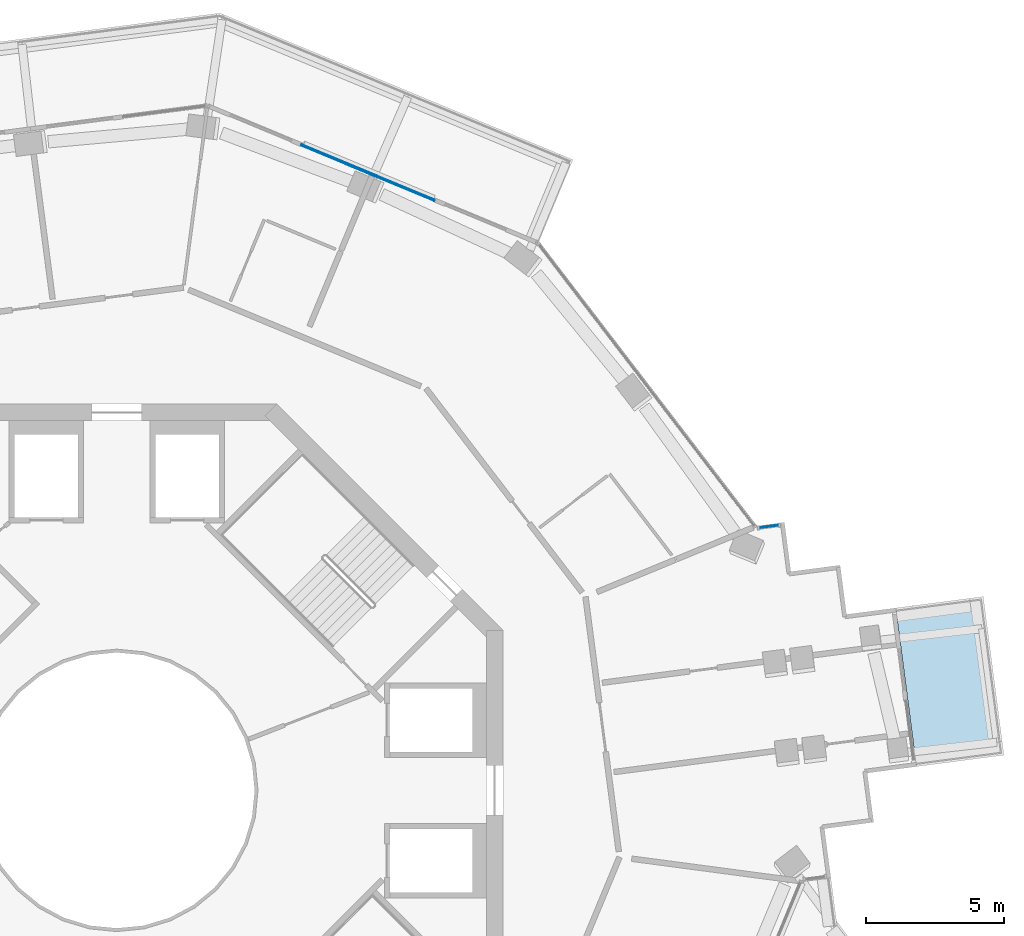
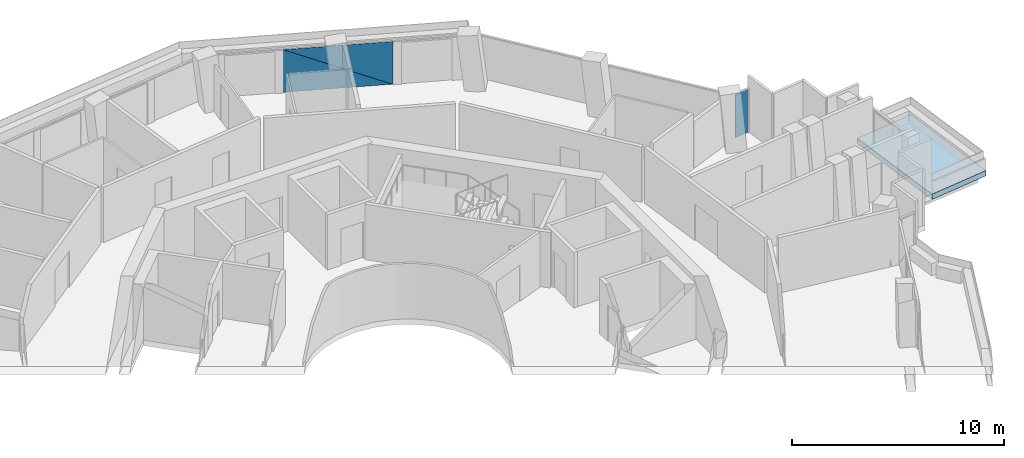
# One storey, part 16 of 25: 3 plates, 1 slab, 2 elements without a shape of their own.
"""IFC4 building model written with IfcOpenShell, lengths in metres."""

from ifc_helpers import new_model, si_unit, direction, frame, origin, origin_2d, place, context, subcontext, project, spatial, polyline, rectangle, outline, extrude, material, layer, layer_set, type_object, element, aggregate, save


model = new_model("IFC4")

# Units and contexts
model_context = context("Model", 3, precision=1e-05, world=origin(), true_north=direction((0.0, 1.0)))
body_context = subcontext(model_context, "Body", "Model", "MODEL_VIEW")
ifc_project = project(units=[si_unit("LENGTHUNIT", "METRE"), si_unit("AREAUNIT", "SQUARE_METRE"), si_unit("VOLUMEUNIT", "CUBIC_METRE"), si_unit("PLANEANGLEUNIT", "RADIAN"), si_unit("MASSUNIT", "GRAM", prefix="KILO")], contexts=[model_context])

# Site, building, storey
site_placement = place(None, origin())
site = spatial("IfcSite", under=ifc_project, at=site_placement, CompositionType="ELEMENT")
building_placement = place(site_placement, origin())
building = spatial("IfcBuilding", under=site, at=building_placement, Name="Verdalira Terraces Hotel", CompositionType="ELEMENT")
storey_placement = place(building_placement, frame((0.0, 0.0, 187.0)))
storey = spatial("IfcBuildingStorey", under=building, at=storey_placement, Name="L45", CompositionType="ELEMENT", Elevation=187.0)

# Slab
ifc_material_1 = material(Name="Precast concrete C40/50", Category="concrete")
ifc_layer_1 = layer(ifc_material_1, 0.31005859375)
ifc_layer_set_1 = layer_set([ifc_layer_1], Name="Balcony deck 310")
slab_type = type_object("IfcSlabType", Name="Balcony deck 310", PredefinedType="FLOOR", material=ifc_layer_set_1)
slab_placement = place(storey_placement, frame((0.0, 0.0, -0.310059)))
element("IfcSlab", 1, at=slab_placement, inside=storey, type_object=slab_type, Name="Balcony deck", PredefinedType="FLOOR", context=body_context, shape_type="SweptSolid", body=[
    extrude(outline(polyline([(31.412842, 7.026855), (28.239746, 6.612305), (28.990967, 0.861328), (32.164062, 1.275635), (31.412842, 7.026855)])), origin(), (0.0, 0.0, 1.0), 0.310059),
])

# Curtain wall, plates
ifc_material_2 = material(Name="Clear glass", Category="glass")
ifc_layer_2 = layer(ifc_material_2, 0.14990234375)
ifc_layer_set_2 = layer_set([ifc_layer_2], Name="CW1 curtain wall")
curtain_wall_type_1 = type_object("IfcCurtainWallType", Name="CW1 curtain wall", PredefinedType="NOTDEFINED", material=ifc_layer_set_2)
curtain_wall_1_placement = place(storey_placement, origin())
curtain_wall_1 = element("IfcCurtainWall", 2, at=curtain_wall_1_placement, inside=storey, type_object=curtain_wall_type_1, Name="CW1 curtain wall L45 edge 40", PredefinedType="NOTDEFINED")
ifc_material_3 = material(Name="Clear glass", Category="glass")
ifc_layer_3 = layer(ifc_material_3, 0.028076171875)
ifc_layer_set_3 = layer_set([ifc_layer_3], Name="CW1 glass unit 28")
plate_type_1 = type_object("IfcPlateType", Name="CW1 glass unit 28", PredefinedType="CURTAIN_PANEL", material=ifc_layer_set_3)
plate_1_placement = place(storey_placement, frame((9.106934, 22.388672, 1.237549), z_axis=(0.383650707, 0.923478281, 0.0), x_axis=(-0.923478281, 0.383650707, 0.0)))
plate_1 = element("IfcPlate", 3, at=plate_1_placement, type_object=plate_type_1, Name="CW1 glass unit", PredefinedType="CURTAIN_PANEL", context=body_context, shape_type="SweptSolid", body=[
    extrude(outline(polyline([(-2.611816, -1.237549), (2.611816, -1.237549), (2.611816, 1.237549), (-2.611816, -1.237549)])), origin(), (0.0, 0.0, 1.0), 0.028076),
])
plate_2_placement = place(storey_placement, frame((9.095703, 22.361816, 1.237549), z_axis=(0.383650707, 0.923478281, 0.0), x_axis=(-0.923478281, 0.383650707, 0.0)))
plate_2 = element("IfcPlate", 4, at=plate_2_placement, type_object=plate_type_1, Name="CW1 glass unit", PredefinedType="CURTAIN_PANEL", context=body_context, shape_type="SweptSolid", body=[
    extrude(outline(polyline([(-2.611816, -1.237549), (2.611816, 1.237549), (-2.611816, 1.237549), (-2.611816, -1.237549)])), origin(), (0.0, 0.0, 1.0), 0.028076),
])
aggregate(curtain_wall_1, [plate_1, plate_2])

# Curtain wall, plate
ifc_material_4 = material(Name="Clear glass", Category="glass")
ifc_layer_4 = layer(ifc_material_4, 0.14990234375)
ifc_layer_set_4 = layer_set([ifc_layer_4], Name="CW2 curtain wall")
curtain_wall_type_2 = type_object("IfcCurtainWallType", Name="CW2 curtain wall", PredefinedType="NOTDEFINED", material=ifc_layer_set_4)
curtain_wall_2_placement = place(storey_placement, origin())
curtain_wall_2 = element("IfcCurtainWall", 5, at=curtain_wall_2_placement, inside=storey, type_object=curtain_wall_type_2, Name="CW2 curtain wall L45 edge 38", PredefinedType="NOTDEFINED")
ifc_material_5 = material(Name="Clear glass", Category="glass")
ifc_layer_5 = layer(ifc_material_5, 0.031982421875)
ifc_layer_set_5 = layer_set([ifc_layer_5], Name="CW2 glass unit 32")
plate_type_2 = type_object("IfcPlateType", Name="CW2 glass unit 32", PredefinedType="CURTAIN_PANEL", material=ifc_layer_set_5)
plate_3_placement = place(storey_placement, frame((23.643555, 9.567139, 0.0), z_axis=(0.0, 0.0, 1.0), x_axis=(-0.991581004, -0.129487882, 0.0)))
plate_3 = element("IfcPlate", 6, at=plate_3_placement, type_object=plate_type_2, Name="CW2 glass unit", PredefinedType="CURTAIN_PANEL", context=body_context, shape_type="SweptSolid", body=[
    extrude(rectangle(XDim=0.709961, YDim=0.031982, at=origin_2d()), origin(), (0.0, 0.0, 1.0), 2.475098),
])
aggregate(curtain_wall_2, [plate_3])

save(model, "model.ifc")
